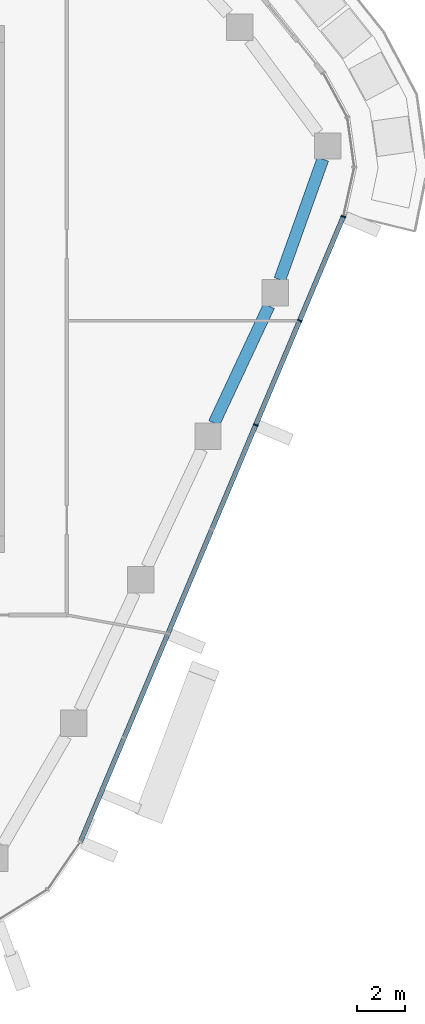
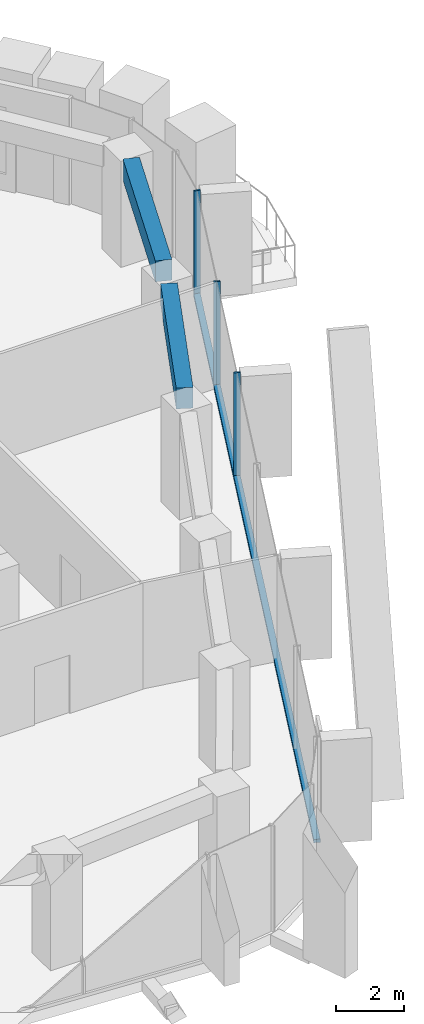
# One storey, part 5 of 20: 4 members, 2 beams, 2 elements without a shape of their own.
"""IFC4 building model written with IfcOpenShell, lengths in metres."""

from ifc_helpers import new_model, si_unit, direction, frame, origin, origin_2d, place, context, subcontext, project, spatial, rectangle, extrude, material, layer, layer_set, material_profile, profile_set, type_object, element, aggregate, save


model = new_model("IFC4")

# Units and contexts
model_context = context("Model", 3, precision=1e-05, world=origin(), true_north=direction((0.0, 1.0)))
body_context = subcontext(model_context, "Body", "Model", "MODEL_VIEW")
ifc_project = project(units=[si_unit("LENGTHUNIT", "METRE"), si_unit("AREAUNIT", "SQUARE_METRE"), si_unit("VOLUMEUNIT", "CUBIC_METRE"), si_unit("PLANEANGLEUNIT", "RADIAN"), si_unit("MASSUNIT", "GRAM", prefix="KILO")], contexts=[model_context])

# Site, building, storey
site_placement = place(None, origin())
site = spatial("IfcSite", under=ifc_project, at=site_placement, CompositionType="ELEMENT")
building_placement = place(site_placement, origin())
building = spatial("IfcBuilding", under=site, at=building_placement, Name="Dongbaek Canopy Tower", CompositionType="ELEMENT")
storey_placement = place(building_placement, frame((0.0, 0.0, 253.800048828125)))
storey = spatial("IfcBuildingStorey", under=building, at=storey_placement, Name="L53", CompositionType="ELEMENT", Elevation=253.800048828125)

# Curtain wall, member
ifc_material_1 = material(Name="Aluminium 6063-T6 pale anodised", Category="aluminium")
ifc_layer = layer(ifc_material_1, 0.199951171875)
ifc_layer_set = layer_set([ifc_layer], Name="CW-1 unitised tower curtain wall")
curtain_wall_type = type_object("IfcCurtainWallType", Name="CW-1 unitised tower curtain wall", PredefinedType="NOTDEFINED", material=ifc_layer_set)
curtain_wall_1_placement = place(storey_placement, origin())
curtain_wall_1 = element("IfcCurtainWall", 1, at=curtain_wall_1_placement, inside=storey, type_object=curtain_wall_type, Name="CW-1 curtain wall K0.1", PredefinedType="NOTDEFINED")
ifc_material_2 = material(Name="Aluminium 6063-T6 pale anodised", Category="aluminium")
ifc_material_profile_1 = material_profile(ifc_material_2, rectangle(XDim=0.199951171875, YDim=0.06005859375, at=origin_2d()), Name="CW-1 mullion 60 x 200")
ifc_profile_set_1 = profile_set([ifc_material_profile_1], Name="Aluminium 6063-T6 pale anodised")
member_type_1 = type_object("IfcMemberType", Name="CW-1 mullion 60 x 200", PredefinedType="MULLION", material=ifc_profile_set_1)
member_1_placement = place(storey_placement, frame((28.14990234375, 3.0302734375, 0.0), z_axis=(0.0, 0.0, 1.0), x_axis=(0.976146824965, -0.21711143708, 0.0)))
member_1 = element("IfcMember", 2, at=member_1_placement, type_object=member_type_1, Name="CW-1 mullion K0.1.1", PredefinedType="MULLION", context=body_context, shape_type="SweptSolid", body=[
    extrude(rectangle(XDim=0.199951171875, YDim=0.06005859375, at=origin_2d()), origin(), (0.0, 0.0, 1.0), 3.820068359375),
])
aggregate(curtain_wall_1, [member_1])

# Curtain wall, members
curtain_wall_2_placement = place(storey_placement, origin())
curtain_wall_2 = element("IfcCurtainWall", 3, at=curtain_wall_2_placement, inside=storey, type_object=curtain_wall_type, Name="CW-1 curtain wall F5.1", PredefinedType="NOTDEFINED")
member_2_placement = place(storey_placement, frame((24.49169921875, -5.66748046875, 0.119873046875), z_axis=(0.0, 0.0, 1.0), x_axis=(0.92178748934, -0.387695530662, 0.0)))
member_2 = element("IfcMember", 4, at=member_2_placement, type_object=member_type_1, Name="CW-1 mullion F5.1.5", PredefinedType="MULLION", context=body_context, shape_type="SweptSolid", body=[
    extrude(rectangle(XDim=0.199951171875, YDim=0.06005859375, at=origin_2d()), origin(), (0.0, 0.0, 1.0), 3.7001953125),
])
member_3_placement = place(storey_placement, frame((26.322509765625, -1.314453125, 0.119873046875), z_axis=(0.0, 0.0, 1.0), x_axis=(0.92178748934, -0.387695530662, 0.0)))
member_3 = element("IfcMember", 5, at=member_3_placement, type_object=member_type_1, Name="CW-1 mullion F5.1.6", PredefinedType="MULLION", context=body_context, shape_type="SweptSolid", body=[
    extrude(rectangle(XDim=0.199951171875, YDim=0.06005859375, at=origin_2d()), origin(), (0.0, 0.0, 1.0), 3.7001953125),
])
ifc_material_3 = material(Name="Aluminium 6063-T6 pale anodised", Category="aluminium")
ifc_material_profile_2 = material_profile(ifc_material_3, rectangle(XDim=0.199951171875, YDim=0.1201171875, at=origin_2d()), Name="CW-1 transom 120 x 200")
ifc_profile_set_2 = profile_set([ifc_material_profile_2], Name="Aluminium 6063-T6 pale anodised")
member_type_2 = type_object("IfcMemberType", Name="CW-1 transom 120 x 200", PredefinedType="USERDEFINED", material=ifc_profile_set_2)
member_4_placement = place(storey_placement, frame((17.17236328125, -23.070068359375, 0.06005859375), z_axis=(0.387694629158, 0.921787868504, 0.0), x_axis=(-0.921787868504, 0.387694629158, 0.0)))
member_4 = element("IfcMember", 6, at=member_4_placement, type_object=member_type_2, Name="CW-1 transom F5.1.1", ObjectType="TRANSOM", PredefinedType="USERDEFINED", context=body_context, shape_type="SweptSolid", body=[
    extrude(rectangle(XDim=0.199951171875, YDim=0.1201171875, at=origin_2d()), origin(), (0.0, 0.0, 1.0), 28.31494140625),
])
aggregate(curtain_wall_2, [member_2, member_3, member_4])

# Beams
ifc_material_4 = material(Name="Concrete C70", Category="concrete")
ifc_material_profile_3 = material_profile(ifc_material_4, rectangle(XDim=0.5, YDim=0.75, at=origin_2d()), Name="RC EDGE BEAM 500x750 C70")
ifc_profile_set_3 = profile_set([ifc_material_profile_3], Name="Concrete C70")
beam_type = type_object("IfcBeamType", Name="RC EDGE BEAM 500x750 C70", PredefinedType="BEAM", material=ifc_profile_set_3)
beam_1_placement = place(storey_placement, frame((27.29541015625, 5.427001953125, 3.445068359375), z_axis=(-0.336466714227, -0.94169535956, 0.0), x_axis=(0.94169535956, -0.336466714227, 0.0)))
element("IfcBeam", 7, at=beam_1_placement, inside=storey, type_object=beam_type, Name="EDGEBEAM:L53:21", PredefinedType="BEAM", context=body_context, shape_type="SweptSolid", body=[
    extrude(rectangle(XDim=0.5, YDim=0.75, at=origin_2d()), origin(), (0.0, 0.0, 1.0), 5.34033203125),
])
beam_2_placement = place(storey_placement, frame((25.04443359375, -0.701904296875, 3.445068359375), z_axis=(-0.423972479832, -0.905675072167, 0.0), x_axis=(0.905675072167, -0.423972479832, 0.0)))
element("IfcBeam", 8, at=beam_2_placement, inside=storey, type_object=beam_type, Name="EDGEBEAM:L53:22", PredefinedType="BEAM", context=body_context, shape_type="SweptSolid", body=[
    extrude(rectangle(XDim=0.5, YDim=0.75, at=origin_2d()), origin(), (0.0, 0.0, 1.0), 5.396240234375),
])

save(model, "model.ifc")
